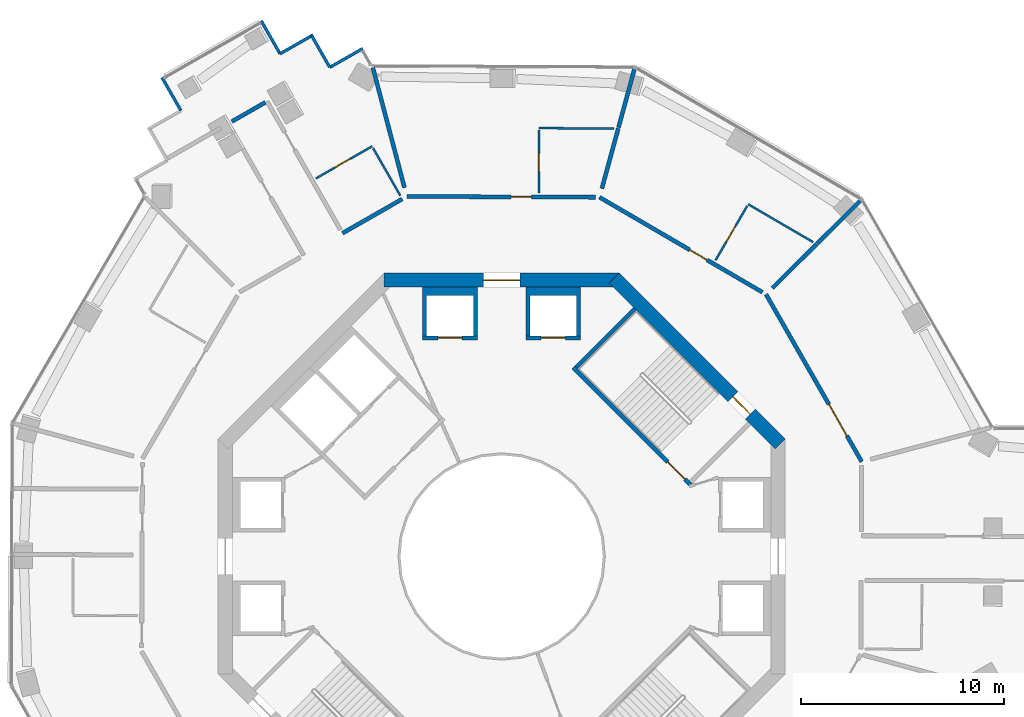
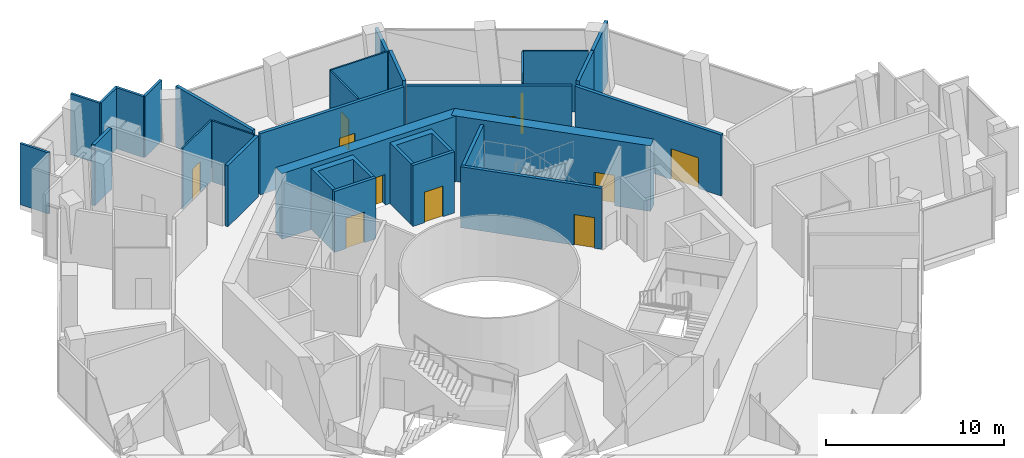
# One storey, part 13 of 16: 29 walls, 11 doors, 11 openings.
"""IFC4 building model written with IfcOpenShell, lengths in metres."""

from ifc_helpers import new_model, si_unit, direction, frame, frame_2d, origin, place, context, subcontext, project, spatial, polyline, rectangle, outline, extrude, material, layer, layer_set, type_object, element, fill, save


model = new_model("IFC4")

# Units and contexts
model_context = context("Model", 3, precision=1e-05, world=origin(), true_north=direction((0.0, 1.0)))
body_context = subcontext(model_context, "Body", "Model", "MODEL_VIEW")
ifc_project = project(units=[si_unit("LENGTHUNIT", "METRE"), si_unit("AREAUNIT", "SQUARE_METRE"), si_unit("VOLUMEUNIT", "CUBIC_METRE"), si_unit("PLANEANGLEUNIT", "RADIAN"), si_unit("MASSUNIT", "GRAM", prefix="KILO")], contexts=[model_context])

# Site, building, storey
site_placement = place(None, origin())
site = spatial("IfcSite", under=ifc_project, at=site_placement, CompositionType="ELEMENT")
building_placement = place(site_placement, origin())
building = spatial("IfcBuilding", under=site, at=building_placement, Name="Verdalira Terraces Hotel", CompositionType="ELEMENT")
storey_placement = place(building_placement, frame((0.0, 0.0, 154.0)))
storey = spatial("IfcBuildingStorey", under=building, at=storey_placement, Name="L37", CompositionType="ELEMENT", Elevation=154.0)

# Wall, opening, door
ifc_material_1 = material(Name="Moisture-resistant gypsum board partition")
ifc_layer_1 = layer(ifc_material_1, 0.10009765625)
ifc_layer_set_1 = layer_set([ifc_layer_1], Name="Bathroom partition 100 mm")
wall_type_1 = type_object("IfcWallType", Name="Bathroom partition 100 mm", PredefinedType="PARTITIONING", material=ifc_layer_set_1)
wall_1_placement = place(storey_placement, frame((-6.397217, 20.25415, 0.0), z_axis=(0.0, 0.0, 1.0), x_axis=(-0.868121049, -0.49635254, 0.0)))
wall_1 = element("IfcWall", 1, at=wall_1_placement, inside=storey, type_object=wall_type_1, Name="Bathroom partition", PredefinedType="PARTITIONING", context=body_context, shape_type="SweptSolid", body=[
    extrude(rectangle(XDim=3.200195, YDim=0.100098, at=frame_2d((1.600098, 0.0))), origin(), (0.0, 0.0, 1.0), 4.189941),
])
opening_1_placement = place(wall_1_placement, frame((1.25, 0.0, 0.0)))
opening_1 = element("IfcOpeningElement", 2, at=opening_1_placement, cuts=wall_1, Name="Opening L37-102", PredefinedType="OPENING", context=body_context, shape_type="SweptSolid", body=[
    extrude(rectangle(XDim=0.899902, YDim=2.100098, at=frame_2d((0.449951, 1.050049))), frame((0.0, 0.060059, 0.0), z_axis=(0.0, -1.0, 0.0), x_axis=(1.0, 0.0, 0.0)), (0.0, 0.0, 1.0), 0.120117),
])
ifc_material_2 = material(Name="Timber door", Category="wood")
door_type_1 = type_object("IfcDoorType", Name="Bathroom door 900 x 2100", OperationType="NOTDEFINED", PredefinedType="DOOR", material=ifc_material_2)
door_1_placement = place(opening_1_placement, origin())
door_1 = element("IfcDoor", 3, at=door_1_placement, inside=storey, type_object=door_type_1, Name="Bathroom door 3701", OperationType="SINGLE_SWING_LEFT", OverallHeight=2.10009765625, OverallWidth=0.89990234375, PredefinedType="DOOR", context=body_context, shape_type="SweptSolid", body=[
    extrude(rectangle(XDim=0.899902, YDim=2.100098, at=frame_2d((0.449951, 1.050049))), frame((0.0, 0.024902, 0.0), z_axis=(0.0, -1.0, 0.0), x_axis=(1.0, 0.0, 0.0)), (0.0, 0.0, 1.0), 0.050049),
])
fill(opening_1, door_1)

# Wall
wall_2_placement = place(storey_placement, frame((-6.347656, 20.16748, 0.0), z_axis=(0.0, 0.0, 1.0), x_axis=(0.496392086, -0.868098437, 0.0)))
element("IfcWall", 4, at=wall_2_placement, inside=storey, type_object=wall_type_1, Name="Bathroom partition", PredefinedType="PARTITIONING", context=body_context, shape_type="SweptSolid", body=[
    extrude(rectangle(XDim=2.700195, YDim=0.100098, at=frame_2d((1.350098, 0.0))), origin(), (0.0, 0.0, 1.0), 4.189941),
])

# Wall, opening, door
wall_3_placement = place(storey_placement, frame((1.846436, 21.050781, 0.0), z_axis=(0.0, 0.0, 1.0), x_axis=(-0.004173849, -0.999991289, 0.0)))
wall_3 = element("IfcWall", 5, at=wall_3_placement, inside=storey, type_object=wall_type_1, Name="Bathroom partition", PredefinedType="PARTITIONING", context=body_context, shape_type="SweptSolid", body=[
    extrude(rectangle(XDim=3.100098, YDim=0.100098, at=frame_2d((1.550049, 0.0))), origin(), (0.0, 0.0, 1.0), 4.189941),
])
opening_2_placement = place(wall_3_placement, frame((1.149902, 0.0, 0.0)))
opening_2 = element("IfcOpeningElement", 6, at=opening_2_placement, cuts=wall_3, Name="Opening L37-122", PredefinedType="OPENING", context=body_context, shape_type="SweptSolid", body=[
    extrude(rectangle(XDim=0.899902, YDim=2.100098, at=frame_2d((0.449951, 1.050049))), frame((0.0, 0.060059, 0.0), z_axis=(0.0, -1.0, 0.0), x_axis=(1.0, 0.0, 0.0)), (0.0, 0.0, 1.0), 0.120117),
])
door_2_placement = place(opening_2_placement, origin())
door_2 = element("IfcDoor", 7, at=door_2_placement, inside=storey, type_object=door_type_1, Name="Bathroom door 3714", OperationType="SINGLE_SWING_LEFT", OverallHeight=2.10009765625, OverallWidth=0.89990234375, PredefinedType="DOOR", context=body_context, shape_type="SweptSolid", body=[
    extrude(rectangle(XDim=0.899902, YDim=2.100098, at=frame_2d((0.449951, 1.050049))), frame((0.0, 0.024902, 0.0), z_axis=(0.0, -1.0, 0.0), x_axis=(1.0, 0.0, 0.0)), (0.0, 0.0, 1.0), 0.050049),
])
fill(opening_2, door_2)

# Wall
wall_4_placement = place(storey_placement, frame((1.846924, 21.150879, 0.0), z_axis=(0.0, 0.0, 1.0), x_axis=(0.999991102, -0.004218537, 0.0)))
element("IfcWall", 8, at=wall_4_placement, inside=storey, type_object=wall_type_1, Name="Bathroom partition", PredefinedType="PARTITIONING", context=body_context, shape_type="SweptSolid", body=[
    extrude(rectangle(XDim=3.703857, YDim=0.100098, at=frame_2d((1.852051, 0.0))), origin(), (0.0, 0.0, 1.0), 4.189941),
])

# Wall, opening, door
wall_5_placement = place(storey_placement, frame((12.124512, 17.307129, 0.0), z_axis=(0.0, 0.0, 1.0), x_axis=(-0.503660444, -0.863901706, 0.0)))
wall_5 = element("IfcWall", 9, at=wall_5_placement, inside=storey, type_object=wall_type_1, Name="Bathroom partition", PredefinedType="PARTITIONING", context=body_context, shape_type="SweptSolid", body=[
    extrude(rectangle(XDim=3.099854, YDim=0.100098, at=frame_2d((1.549805, 0.0))), origin(), (0.0, 0.0, 1.0), 4.189941),
])
opening_3_placement = place(wall_5_placement, frame((1.149902, 0.0, 0.0)))
opening_3 = element("IfcOpeningElement", 10, at=opening_3_placement, cuts=wall_5, Name="Opening L37-120", PredefinedType="OPENING", context=body_context, shape_type="SweptSolid", body=[
    extrude(rectangle(XDim=0.899902, YDim=2.100098, at=frame_2d((0.449951, 1.050049))), frame((0.0, 0.060059, 0.0), z_axis=(0.0, -1.0, 0.0), x_axis=(1.0, 0.0, 0.0)), (0.0, 0.0, 1.0), 0.120117),
])
door_3_placement = place(opening_3_placement, origin())
door_3 = element("IfcDoor", 11, at=door_3_placement, inside=storey, type_object=door_type_1, Name="Bathroom door 3713", OperationType="SINGLE_SWING_LEFT", OverallHeight=2.10009765625, OverallWidth=0.89990234375, PredefinedType="DOOR", context=body_context, shape_type="SweptSolid", body=[
    extrude(rectangle(XDim=0.899902, YDim=2.100098, at=frame_2d((0.449951, 1.050049))), frame((0.0, 0.024902, 0.0), z_axis=(0.0, -1.0, 0.0), x_axis=(1.0, 0.0, 0.0)), (0.0, 0.0, 1.0), 0.050049),
])
fill(opening_3, door_3)

# Walls
wall_6_placement = place(storey_placement, frame((12.174805, 17.393555, 0.0), z_axis=(0.0, 0.0, 1.0), x_axis=(0.863943812, -0.503588214, 0.0)))
element("IfcWall", 12, at=wall_6_placement, inside=storey, type_object=wall_type_1, Name="Bathroom partition", PredefinedType="PARTITIONING", context=body_context, shape_type="SweptSolid", body=[
    extrude(rectangle(XDim=3.703857, YDim=0.100098, at=frame_2d((1.852051, 0.0))), origin(), (0.0, 0.0, 1.0), 4.189941),
])
ifc_material_3 = material(Name="Concrete C50", Category="concrete")
ifc_layer_2 = layer(ifc_material_3, 0.199951171875)
ifc_layer_set_2 = layer_set([ifc_layer_2], Name="Core RC wall 200 C50")
wall_type_2 = type_object("IfcWallType", Name="Core RC wall 200 C50", PredefinedType="SOLIDWALL", material=ifc_layer_set_2)
wall_7_placement = place(storey_placement, origin())
element("IfcWall", 13, at=wall_7_placement, inside=storey, type_object=wall_type_2, Name="L37 shaft wall N1", PredefinedType="SOLIDWALL", context=body_context, shape_type="SweptSolid", body=[
    extrude(outline(polyline([(3.899902, 13.300049), (3.899902, 10.899902), (3.699951, 10.899902), (3.699951, 12.899902), (1.399902, 12.899902), (1.399902, 10.899902), (1.199951, 10.899902), (1.199951, 13.300049), (3.899902, 13.300049)])), origin(), (0.0, 0.0, 1.0), 4.189941),
])

# Wall, opening, door
wall_8_placement = place(storey_placement, frame((1.199951, 10.800049, 0.0), z_axis=(0.0, 0.0, 1.0), x_axis=(1.0, 0.0, 0.0)))
wall_8 = element("IfcWall", 14, at=wall_8_placement, inside=storey, type_object=wall_type_2, Name="L37 shaft front wall N1", PredefinedType="SOLIDWALL", context=body_context, shape_type="SweptSolid", body=[
    extrude(rectangle(XDim=2.699951, YDim=0.199951, at=frame_2d((1.350098, 0.0))), origin(), (0.0, 0.0, 1.0), 4.189941),
])
opening_4_placement = place(wall_8_placement, frame((0.75, 0.0, 0.0)))
opening_4 = element("IfcOpeningElement", 15, at=opening_4_placement, cuts=wall_8, Name="Opening LD-L37-803", PredefinedType="OPENING", context=body_context, shape_type="SweptSolid", body=[
    extrude(rectangle(XDim=1.199951, YDim=2.100098, at=frame_2d((0.600098, 1.050049))), frame((0.0, 0.109863, 0.0), z_axis=(0.0, -1.0, 0.0), x_axis=(1.0, 0.0, 0.0)), (0.0, 0.0, 1.0), 0.219971),
])
ifc_material_4 = material(Name="Stainless steel", Category="steel")
door_type_2 = type_object("IfcDoorType", Name="Landing door 1200 x 2100", OperationType="NOTDEFINED", PredefinedType="DOOR", material=ifc_material_4)
door_4_placement = place(opening_4_placement, origin())
door_4 = element("IfcDoor", 16, at=door_4_placement, inside=storey, type_object=door_type_2, Name="Lift landing door LR3 L37", OperationType="DOUBLE_DOOR_SLIDING", OverallHeight=2.10009765625, OverallWidth=1.199951171875, PredefinedType="DOOR", context=body_context, shape_type="SweptSolid", body=[
    extrude(rectangle(XDim=1.199951, YDim=2.100098, at=frame_2d((0.600098, 1.050049))), frame((0.0, 0.024902, 0.0), z_axis=(0.0, -1.0, 0.0), x_axis=(1.0, 0.0, 0.0)), (0.0, 0.0, 1.0), 0.050049),
])
fill(opening_4, door_4)

# Wall
wall_9_placement = place(storey_placement, origin())
element("IfcWall", 17, at=wall_9_placement, inside=storey, type_object=wall_type_2, Name="L37 shaft wall N2", PredefinedType="SOLIDWALL", context=body_context, shape_type="SweptSolid", body=[
    extrude(outline(polyline([(-3.899902, 10.899902), (-3.899902, 13.300049), (-1.199951, 13.300049), (-1.199951, 10.899902), (-1.399902, 10.899902), (-1.399902, 12.899902), (-3.699951, 12.899902), (-3.699951, 10.899902), (-3.899902, 10.899902)])), origin(), (0.0, 0.0, 1.0), 4.189941),
])

# Wall, opening, door
wall_10_placement = place(storey_placement, frame((-1.199951, 10.800049, 0.0), z_axis=(0.0, 0.0, 1.0), x_axis=(-1.0, 0.0, 0.0)))
wall_10 = element("IfcWall", 18, at=wall_10_placement, inside=storey, type_object=wall_type_2, Name="L37 shaft front wall N2", PredefinedType="SOLIDWALL", context=body_context, shape_type="SweptSolid", body=[
    extrude(rectangle(XDim=2.699951, YDim=0.199951, at=frame_2d((1.350098, 0.0))), origin(), (0.0, 0.0, 1.0), 4.189941),
])
opening_5_placement = place(wall_10_placement, frame((0.75, 0.0, 0.0)))
opening_5 = element("IfcOpeningElement", 19, at=opening_5_placement, cuts=wall_10, Name="Opening LD-L37-804", PredefinedType="OPENING", context=body_context, shape_type="SweptSolid", body=[
    extrude(rectangle(XDim=1.199951, YDim=2.100098, at=frame_2d((0.600098, 1.050049))), frame((0.0, 0.109863, 0.0), z_axis=(0.0, -1.0, 0.0), x_axis=(1.0, 0.0, 0.0)), (0.0, 0.0, 1.0), 0.219971),
])
door_5_placement = place(opening_5_placement, origin())
door_5 = element("IfcDoor", 20, at=door_5_placement, inside=storey, type_object=door_type_2, Name="Lift landing door LR4 L37", OperationType="DOUBLE_DOOR_SLIDING", OverallHeight=2.10009765625, OverallWidth=1.199951171875, PredefinedType="DOOR", context=body_context, shape_type="SweptSolid", body=[
    extrude(rectangle(XDim=1.199951, YDim=2.100098, at=frame_2d((0.600098, 1.050049))), frame((0.0, 0.024902, 0.0), z_axis=(0.0, -1.0, 0.0), x_axis=(1.0, 0.0, 0.0)), (0.0, 0.0, 1.0), 0.050049),
])
fill(opening_5, door_5)

wall_11_placement = place(storey_placement, frame((3.5354, 9.33374, 0.0), z_axis=(0.0, 0.0, 1.0), x_axis=(0.707106781, -0.707106781, 0.0)))
wall_11 = element("IfcWall", 21, at=wall_11_placement, inside=storey, type_object=wall_type_2, Name="L37 stair ST1 front wall", PredefinedType="SOLIDWALL", context=body_context, shape_type="SweptSolid", body=[
    extrude(rectangle(XDim=8.200195, YDim=0.199951, at=frame_2d((4.100098, 0.0))), origin(), (0.0, 0.0, 1.0), 4.189941),
])
opening_6_placement = place(wall_11_placement, frame((6.600098, 0.0, 0.0)))
opening_6 = element("IfcOpeningElement", 22, at=opening_6_placement, cuts=wall_11, Name="Opening L37-809", PredefinedType="OPENING", context=body_context, shape_type="SweptSolid", body=[
    extrude(rectangle(XDim=1.199951, YDim=2.100098, at=frame_2d((0.600098, 1.050049))), frame((0.0, 0.109863, 0.0), z_axis=(0.0, -1.0, 0.0), x_axis=(1.0, 0.0, 0.0)), (0.0, 0.0, 1.0), 0.219971),
])
ifc_material_5 = material(Name="Steel fire door", Category="steel")
door_type_3 = type_object("IfcDoorType", Name="Stair door 1200 x 2100", OperationType="NOTDEFINED", PredefinedType="DOOR", material=ifc_material_5)
door_6_placement = place(opening_6_placement, origin())
door_6 = element("IfcDoor", 23, at=door_6_placement, inside=storey, type_object=door_type_3, Name="Stair door ST1 L37", OperationType="SINGLE_SWING_RIGHT", OverallHeight=2.10009765625, OverallWidth=1.199951171875, PredefinedType="DOOR", context=body_context, shape_type="SweptSolid", body=[
    extrude(rectangle(XDim=1.199951, YDim=2.100098, at=frame_2d((0.600098, 1.050049))), frame((0.0, 0.024902, 0.0), z_axis=(0.0, -1.0, 0.0), x_axis=(1.0, 0.0, 0.0)), (0.0, 0.0, 1.0), 0.050049),
])
fill(opening_6, door_6)

# Wall
wall_12_placement = place(storey_placement, frame((3.677002, 9.33374, 0.0), z_axis=(0.0, 0.0, 1.0), x_axis=(0.707106781, 0.707106781, 0.0)))
element("IfcWall", 24, at=wall_12_placement, inside=storey, type_object=wall_type_2, Name="L37 stair ST1 end wall 2", PredefinedType="SOLIDWALL", context=body_context, shape_type="SweptSolid", body=[
    extrude(rectangle(XDim=4.100098, YDim=0.199951, at=frame_2d((2.050049, 0.0))), origin(), (0.0, 0.0, 1.0), 4.189941),
])

# Wall, opening, door
ifc_material_6 = material(Name="Concrete C60", Category="concrete")
ifc_layer_3 = layer(ifc_material_6, 0.699951171875)
ifc_layer_set_3 = layer_set([ifc_layer_3], Name="Core wall 700 C60")
wall_type_3 = type_object("IfcWallType", Name="Core wall 700 C60", PredefinedType="SHEAR", material=ifc_layer_set_3)
wall_13_placement = place(storey_placement, frame((13.752441, 5.551514, 0.0), z_axis=(0.0, 0.0, 1.0), x_axis=(-0.707106781, 0.707106781, 0.0)))
wall_13 = element("IfcWall", 25, at=wall_13_placement, inside=storey, type_object=wall_type_3, Name="Core wall CW-L37-2", PredefinedType="SHEAR", context=body_context, shape_type="SweptSolid", body=[
    extrude(rectangle(XDim=11.5979, YDim=0.699951, at=frame_2d((5.798828, 0.0))), origin(), (0.0, 0.0, 1.0), 4.5),
])
opening_7_placement = place(wall_13_placement, frame((2.099121, 0.0, 0.0)))
opening_7 = element("IfcOpeningElement", 26, at=opening_7_placement, cuts=wall_13, Name="Opening L37-816", PredefinedType="OPENING", context=body_context, shape_type="SweptSolid", body=[
    extrude(rectangle(XDim=1.199951, YDim=2.100098, at=frame_2d((0.600098, 1.050049))), frame((0.0, 0.359863, 0.0), z_axis=(0.0, -1.0, 0.0), x_axis=(1.0, 0.0, 0.0)), (0.0, 0.0, 1.0), 0.719971),
])
door_7_placement = place(opening_7_placement, origin())
door_7 = element("IfcDoor", 27, at=door_7_placement, inside=storey, type_object=door_type_3, Name="Stair exit door ST1 L37", OperationType="SINGLE_SWING_LEFT", OverallHeight=2.10009765625, OverallWidth=1.199951171875, PredefinedType="DOOR", context=body_context, shape_type="SweptSolid", body=[
    extrude(rectangle(XDim=1.199951, YDim=2.100098, at=frame_2d((0.600098, 1.050049))), frame((0.0, 0.024902, 0.0), z_axis=(0.0, -1.0, 0.0), x_axis=(1.0, 0.0, 0.0)), (0.0, 0.0, 1.0), 0.050049),
])
fill(opening_7, door_7)

wall_14_placement = place(storey_placement, frame((5.799072, 13.649902, 0.0), z_axis=(0.0, 0.0, 1.0), x_axis=(-1.0, 0.0, 0.0)))
wall_14 = element("IfcWall", 28, at=wall_14_placement, inside=storey, type_object=wall_type_3, Name="Core wall CW-L37-3", PredefinedType="SHEAR", context=body_context, shape_type="SweptSolid", body=[
    extrude(rectangle(XDim=11.598145, YDim=0.699951, at=frame_2d((5.799072, 0.0))), origin(), (0.0, 0.0, 1.0), 4.5),
])
opening_8_placement = place(wall_14_placement, frame((4.898926, 0.0, 0.0)))
opening_8 = element("IfcOpeningElement", 29, at=opening_8_placement, cuts=wall_14, Name="Opening L37-813", PredefinedType="OPENING", context=body_context, shape_type="SweptSolid", body=[
    extrude(rectangle(XDim=1.800049, YDim=2.100098, at=frame_2d((0.899902, 1.050049))), frame((0.0, 0.359863, 0.0), z_axis=(0.0, -1.0, 0.0), x_axis=(1.0, 0.0, 0.0)), (0.0, 0.0, 1.0), 0.719971),
])
ifc_material_7 = material(Name="Steel fire door", Category="steel")
door_type_4 = type_object("IfcDoorType", Name="Core entry door pair 1800 x 2100", OperationType="NOTDEFINED", PredefinedType="DOOR", material=ifc_material_7)
door_8_placement = place(opening_8_placement, origin())
door_8 = element("IfcDoor", 30, at=door_8_placement, inside=storey, type_object=door_type_4, Name="Core entry door L37 2", OperationType="DOUBLE_DOOR_SINGLE_SWING", OverallHeight=2.10009765625, OverallWidth=1.800048828125, PredefinedType="DOOR", context=body_context, shape_type="SweptSolid", body=[
    extrude(rectangle(XDim=1.800049, YDim=2.100098, at=frame_2d((0.899902, 1.050049))), frame((0.0, 0.024902, 0.0), z_axis=(0.0, -1.0, 0.0), x_axis=(1.0, 0.0, 0.0)), (0.0, 0.0, 1.0), 0.050049),
])
fill(opening_8, door_8)

# Walls
ifc_material_8 = material(Name="Fire-rated gypsum board wall")
ifc_layer_4 = layer(ifc_material_8, 0.199951171875)
ifc_layer_set_4 = layer_set([ifc_layer_4], Name="Demising wall 200 mm")
wall_type_4 = type_object("IfcWallType", Name="Demising wall 200 mm", PredefinedType="SOLIDWALL", material=ifc_layer_set_4)
wall_15_placement = place(storey_placement, frame((-6.360107, 24.140381, 0.0), z_axis=(0.0, 0.0, 1.0), x_axis=(0.254769614, -0.967001781, 0.0)))
element("IfcWall", 31, at=wall_15_placement, inside=storey, type_object=wall_type_4, Name="Demising wall", PredefinedType="SOLIDWALL", context=body_context, shape_type="SweptSolid", body=[
    extrude(rectangle(XDim=6.13208, YDim=0.199951, at=frame_2d((3.065918, 0.0))), origin(), (0.0, 0.0, 1.0), 4.189941),
])
wall_16_placement = place(storey_placement, frame((4.950195, 18.169922, 0.0), z_axis=(0.0, 0.0, 1.0), x_axis=(0.262922543, 0.964816944, 0.0)))
element("IfcWall", 32, at=wall_16_placement, inside=storey, type_object=wall_type_4, Name="Demising wall", PredefinedType="SOLIDWALL", context=body_context, shape_type="SweptSolid", body=[
    extrude(rectangle(XDim=3.074463, YDim=0.199951, at=frame_2d((1.537109, 0.0))), origin(), (0.0, 0.0, 1.0), 4.189941),
])
wall_17_placement = place(storey_placement, frame((13.371826, 13.260498, 0.0), z_axis=(0.0, 0.0, 1.0), x_axis=(0.710117728, 0.704082958, 0.0)))
element("IfcWall", 33, at=wall_17_placement, inside=storey, type_object=wall_type_4, Name="Demising wall", PredefinedType="SOLIDWALL", context=body_context, shape_type="SweptSolid", body=[
    extrude(rectangle(XDim=3.074707, YDim=0.199951, at=frame_2d((1.537354, 0.0))), origin(), (0.0, 0.0, 1.0), 4.189941),
])
wall_18_placement = place(storey_placement, frame((15.587646, 15.457764, 0.0), z_axis=(0.0, 0.0, 1.0), x_axis=(0.710100042, 0.704100795, 0.0)))
element("IfcWall", 34, at=wall_18_placement, inside=storey, type_object=wall_type_4, Name="Demising wall", PredefinedType="SOLIDWALL", context=body_context, shape_type="SweptSolid", body=[
    extrude(rectangle(XDim=3.011475, YDim=0.199951, at=frame_2d((1.505859, 0.0))), origin(), (0.0, 0.0, 1.0), 4.189941),
])
ifc_material_9 = material(Name="Fire-rated gypsum board wall")
ifc_layer_5 = layer(ifc_material_9, 0.199951171875)
ifc_layer_set_5 = layer_set([ifc_layer_5], Name="Demising wall 200 mm to beam soffit")
wall_type_5 = type_object("IfcWallType", Name="Demising wall 200 mm to beam soffit", PredefinedType="SOLIDWALL", material=ifc_layer_set_5)
wall_19_placement = place(storey_placement, frame((5.770508, 21.180664, 0.0), z_axis=(0.0, 0.0, 1.0), x_axis=(0.262836136, 0.964840487, 0.0)))
element("IfcWall", 35, at=wall_19_placement, inside=storey, type_object=wall_type_5, Name="Demising wall", PredefinedType="SOLIDWALL", context=body_context, shape_type="SweptSolid", body=[
    extrude(rectangle(XDim=3.011475, YDim=0.199951, at=frame_2d((1.505859, 0.0))), origin(), (0.0, 0.0, 1.0), 3.689941),
])
ifc_material_10 = material(Name="Fire-rated gypsum board wall")
ifc_layer_6 = layer(ifc_material_10, 0.199951171875)
ifc_layer_set_6 = layer_set([ifc_layer_6], Name="Guest corridor wall 200 mm")
wall_type_6 = type_object("IfcWallType", Name="Guest corridor wall 200 mm", PredefinedType="SOLIDWALL", material=ifc_layer_set_6)
wall_20_placement = place(storey_placement, frame((-11.671143, 22.422363, 0.0), z_axis=(0.0, 0.0, 1.0), x_axis=(-0.868108685, -0.496374164, 0.0)))
element("IfcWall", 36, at=wall_20_placement, inside=storey, type_object=wall_type_6, Name="Guest corridor wall", PredefinedType="SOLIDWALL", context=body_context, shape_type="SweptSolid", body=[
    extrude(rectangle(XDim=1.899902, YDim=0.199951, at=frame_2d((0.949951, 0.0))), origin(), (0.0, 0.0, 1.0), 4.189941),
])
wall_21_placement = place(storey_placement, frame((-4.908203, 17.649902, 0.0), z_axis=(0.0, 0.0, 1.0), x_axis=(-0.86811938, -0.49635546, 0.0)))
element("IfcWall", 37, at=wall_21_placement, inside=storey, type_object=wall_type_6, Name="Guest corridor wall", PredefinedType="SOLIDWALL", context=body_context, shape_type="SweptSolid", body=[
    extrude(rectangle(XDim=3.399902, YDim=0.199951, at=frame_2d((1.699951, 0.0))), origin(), (0.0, 0.0, 1.0), 4.189941),
])

# Wall, opening, door
wall_22_placement = place(storey_placement, frame((-4.683838, 17.778076, 0.0), z_axis=(0.0, 0.0, 1.0), x_axis=(0.99999121, -0.004192835, 0.0)))
wall_22 = element("IfcWall", 38, at=wall_22_placement, inside=storey, type_object=wall_type_6, Name="Guest corridor wall", PredefinedType="SOLIDWALL", context=body_context, shape_type="SweptSolid", body=[
    extrude(rectangle(XDim=9.316406, YDim=0.199951, at=frame_2d((4.658203, 0.0))), origin(), (0.0, 0.0, 1.0), 4.189941),
])
opening_9_placement = place(wall_22_placement, frame((5.149902, 0.0, 0.0)))
opening_9 = element("IfcOpeningElement", 39, at=opening_9_placement, cuts=wall_22, Name="Opening L37-121", PredefinedType="OPENING", context=body_context, shape_type="SweptSolid", body=[
    extrude(rectangle(XDim=1.0, YDim=2.100098, at=frame_2d((0.5, 1.050049))), frame((0.0, 0.109863, 0.0), z_axis=(0.0, -1.0, 0.0), x_axis=(1.0, 0.0, 0.0)), (0.0, 0.0, 1.0), 0.219971),
])
ifc_material_11 = material(Name="Timber fire door", Category="wood")
door_type_5 = type_object("IfcDoorType", Name="Guest entry door 1000 x 2100", OperationType="NOTDEFINED", PredefinedType="DOOR", material=ifc_material_11)
door_9_placement = place(opening_9_placement, origin())
door_9 = element("IfcDoor", 40, at=door_9_placement, inside=storey, type_object=door_type_5, Name="Guest entry door 3714", OperationType="SINGLE_SWING_LEFT", OverallHeight=2.10009765625, OverallWidth=1.0, PredefinedType="DOOR", context=body_context, shape_type="SweptSolid", body=[
    extrude(rectangle(XDim=1.0, YDim=2.100098, at=frame_2d((0.5, 1.050049))), frame((0.0, 0.024902, 0.0), z_axis=(0.0, -1.0, 0.0), x_axis=(1.0, 0.0, 0.0)), (0.0, 0.0, 1.0), 0.050049),
])
fill(opening_9, door_9)

wall_23_placement = place(storey_placement, frame((4.832764, 17.738281, 0.0), z_axis=(0.0, 0.0, 1.0), x_axis=(0.863919531, -0.503629868, 0.0)))
wall_23 = element("IfcWall", 41, at=wall_23_placement, inside=storey, type_object=wall_type_6, Name="Guest corridor wall", PredefinedType="SOLIDWALL", context=body_context, shape_type="SweptSolid", body=[
    extrude(rectangle(XDim=9.31665, YDim=0.199951, at=frame_2d((4.658203, 0.0))), origin(), (0.0, 0.0, 1.0), 4.189941),
])
opening_10_placement = place(wall_23_placement, frame((5.149902, 0.0, 0.0)))
opening_10 = element("IfcOpeningElement", 42, at=opening_10_placement, cuts=wall_23, Name="Opening L37-119", PredefinedType="OPENING", context=body_context, shape_type="SweptSolid", body=[
    extrude(rectangle(XDim=1.0, YDim=2.100098, at=frame_2d((0.5, 1.050049))), frame((0.0, 0.109863, 0.0), z_axis=(0.0, -1.0, 0.0), x_axis=(1.0, 0.0, 0.0)), (0.0, 0.0, 1.0), 0.219971),
])
door_10_placement = place(opening_10_placement, origin())
door_10 = element("IfcDoor", 43, at=door_10_placement, inside=storey, type_object=door_type_5, Name="Guest entry door 3713", OperationType="SINGLE_SWING_LEFT", OverallHeight=2.10009765625, OverallWidth=1.0, PredefinedType="DOOR", context=body_context, shape_type="SweptSolid", body=[
    extrude(rectangle(XDim=1.0, YDim=2.100098, at=frame_2d((0.5, 1.050049))), frame((0.0, 0.024902, 0.0), z_axis=(0.0, -1.0, 0.0), x_axis=(1.0, 0.0, 0.0)), (0.0, 0.0, 1.0), 0.050049),
])
fill(opening_10, door_10)

wall_24_placement = place(storey_placement, frame((13.054443, 12.945312, 0.0), z_axis=(0.0, 0.0, 1.0), x_axis=(0.496359944, -0.868116816, 0.0)))
wall_24 = element("IfcWall", 44, at=wall_24_placement, inside=storey, type_object=wall_type_6, Name="Guest corridor wall", PredefinedType="SOLIDWALL", context=body_context, shape_type="SweptSolid", body=[
    extrude(rectangle(XDim=9.516602, YDim=0.199951, at=frame_2d((4.758301, 0.0))), origin(), (0.0, 0.0, 1.0), 4.189941),
])
opening_11_placement = place(wall_24_placement, frame((6.25, 0.0, 0.0)))
opening_11 = element("IfcOpeningElement", 45, at=opening_11_placement, cuts=wall_24, Name="Opening L37-118", PredefinedType="OPENING", context=body_context, shape_type="SweptSolid", body=[
    extrude(rectangle(XDim=1.800049, YDim=2.100098, at=frame_2d((0.899902, 1.050049))), frame((0.0, 0.109863, 0.0), z_axis=(0.0, -1.0, 0.0), x_axis=(1.0, 0.0, 0.0)), (0.0, 0.0, 1.0), 0.219971),
])
ifc_material_12 = material(Name="Timber fire door", Category="wood")
door_type_6 = type_object("IfcDoorType", Name="Public room double door 1800 x 2100", OperationType="NOTDEFINED", PredefinedType="DOOR", material=ifc_material_12)
door_11_placement = place(opening_11_placement, origin())
door_11 = element("IfcDoor", 46, at=door_11_placement, inside=storey, type_object=door_type_6, Name="Public room double door 3712", OperationType="DOUBLE_DOOR_SINGLE_SWING", OverallHeight=2.10009765625, OverallWidth=1.800048828125, PredefinedType="DOOR", context=body_context, shape_type="SweptSolid", body=[
    extrude(rectangle(XDim=1.800049, YDim=2.100098, at=frame_2d((0.899902, 1.050049))), frame((0.0, 0.024902, 0.0), z_axis=(0.0, -1.0, 0.0), x_axis=(1.0, 0.0, 0.0)), (0.0, 0.0, 1.0), 0.050049),
])
fill(opening_11, door_11)

# Walls
ifc_material_13 = material(Name="Terracotta cladding", Category="masonry")
ifc_layer_7 = layer(ifc_material_13, 0.14990234375)
ifc_layer_set_7 = layer_set([ifc_layer_7], Name="Terracotta clad wall 150")
wall_type_7 = type_object("IfcWallType", Name="Terracotta clad wall 150", PredefinedType="SOLIDWALL", material=ifc_layer_set_7)
wall_25_placement = place(storey_placement, frame((-6.857422, 25.088379, 0.0), z_axis=(0.0, 0.0, 1.0), x_axis=(-0.868114906, -0.496363285, 0.0)))
element("IfcWall", 47, at=wall_25_placement, inside=storey, type_object=wall_type_7, Name="Terracotta cladding wall", PredefinedType="SOLIDWALL", context=body_context, shape_type="SweptSolid", body=[
    extrude(rectangle(XDim=1.875, YDim=0.149902, at=frame_2d((0.9375, 0.0))), origin(), (0.0, 0.0, 1.0), 4.189941),
])
wall_26_placement = place(storey_placement, frame((-8.485107, 24.157715, 0.0), z_axis=(0.0, 0.0, 1.0), x_axis=(-0.496431051, 0.868076155, 0.0)))
element("IfcWall", 48, at=wall_26_placement, inside=storey, type_object=wall_type_7, Name="Terracotta cladding wall", PredefinedType="SOLIDWALL", context=body_context, shape_type="SweptSolid", body=[
    extrude(rectangle(XDim=1.800049, YDim=0.149902, at=frame_2d((0.899902, 0.0))), origin(), (0.0, 0.0, 1.0), 4.189941),
])
for number, where, z_axis, x_axis, name in (
    (49, (-9.313477, 25.757568, 0.0), (0.0, 0.0, 1.0), (-0.868114906, -0.496363285, 0.0), "Terracotta cladding wall"),
    (50, (-10.941162, 24.826904, 0.0), (0.0, 0.0, 1.0), (-0.496363285, 0.868114906, 0.0), "Terracotta cladding wall"),
):
    element("IfcWall", number, at=place(storey_placement, frame(where, z_axis=z_axis, x_axis=x_axis)), inside=storey, type_object=wall_type_7, Name=name, PredefinedType="SOLIDWALL", context=body_context, shape_type="SweptSolid", body=[
        extrude(rectangle(XDim=1.875, YDim=0.149902, at=frame_2d((0.9375, 0.0))), origin(), (0.0, 0.0, 1.0), 4.189941),
    ])
wall_27_placement = place(storey_placement, frame((-16.776855, 23.650146, 0.0), z_axis=(0.0, 0.0, 1.0), x_axis=(0.496307182, -0.868146981, 0.0)))
element("IfcWall", 51, at=wall_27_placement, inside=storey, type_object=wall_type_7, Name="Terracotta cladding wall", PredefinedType="SOLIDWALL", context=body_context, shape_type="SweptSolid", body=[
    extrude(rectangle(XDim=1.875244, YDim=0.149902, at=frame_2d((0.9375, 0.0))), origin(), (0.0, 0.0, 1.0), 4.189941),
])

save(model, "model.ifc")
